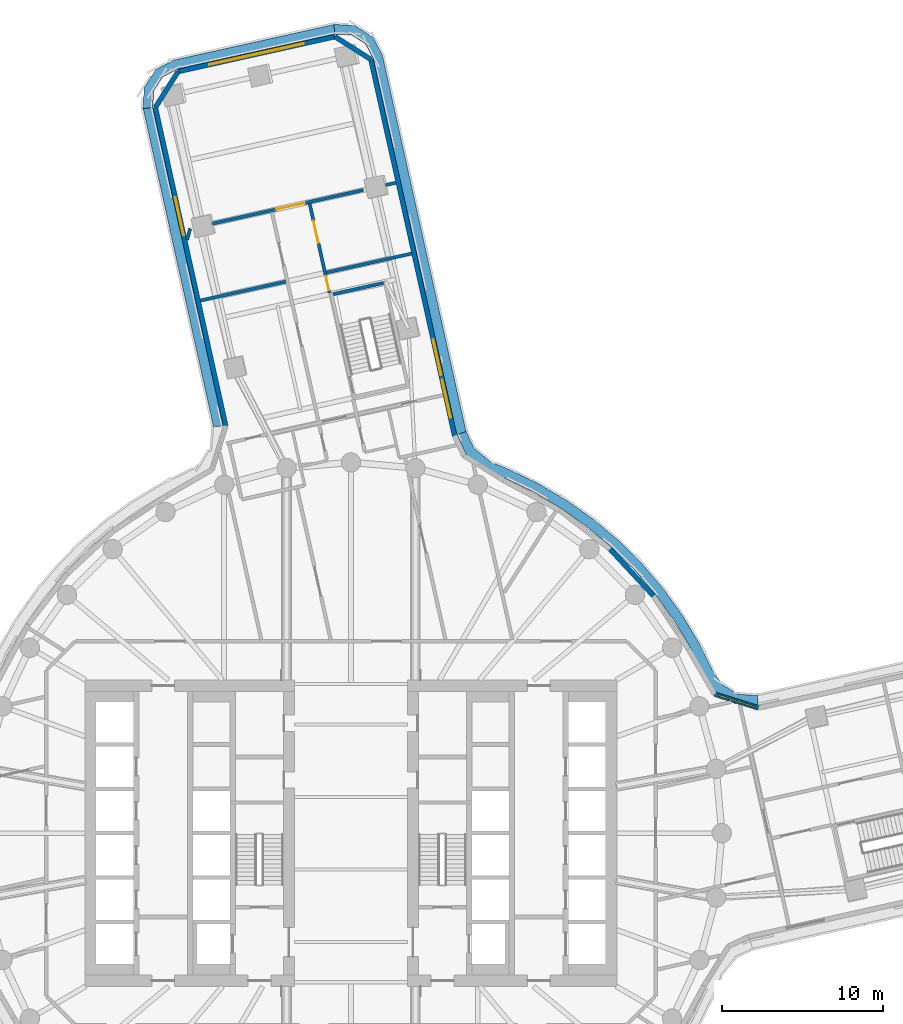
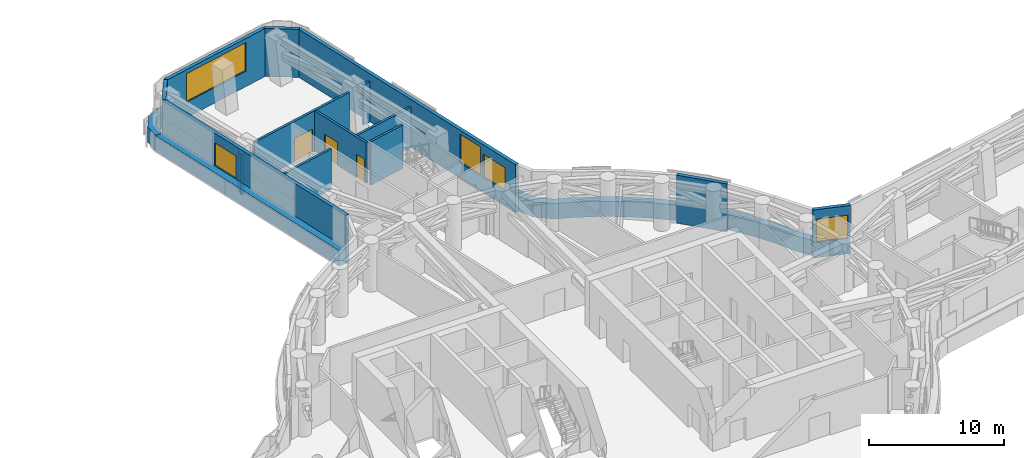
# One storey, part 13 of 22: 14 walls, 5 windows, 4 members, 3 doors, 8 openings.
"""IFC4 building model written with IfcOpenShell, lengths in metres."""

from ifc_helpers import new_model, si_unit, direction, frame, frame_2d, origin, place, context, subcontext, project, spatial, polyline, rectangle, outline, extrude, material, layer, layer_set, type_object, element, fill, aggregate, save


model = new_model("IFC4")

# Units and contexts
model_context = context("Model", 3, precision=1e-05, world=origin(), true_north=direction((0.0, 1.0)))
body_context = subcontext(model_context, "Body", "Model", "MODEL_VIEW")
ifc_project = project(units=[si_unit("LENGTHUNIT", "METRE"), si_unit("AREAUNIT", "SQUARE_METRE"), si_unit("VOLUMEUNIT", "CUBIC_METRE"), si_unit("PLANEANGLEUNIT", "RADIAN"), si_unit("MASSUNIT", "GRAM", prefix="KILO")], contexts=[model_context])

# Member
ifc_material_1 = material(Name="Aluminium and insulated spandrel panel", Category="aluminium")
member_type = type_object("IfcMemberType", Name="Floor-edge blade transom", PredefinedType="USERDEFINED", material=ifc_material_1)
site_placement = place(None, origin())
building_placement = place(site_placement, origin())
storey_placement = place(building_placement, frame((0.0, 0.0, 79.0)))
member_1_placement = place(storey_placement, origin())
member_1 = element("IfcMember", 1, at=member_1_placement, type_object=member_type, Name="CWT-L18-10", ObjectType="TRANSOM", PredefinedType="USERDEFINED", context=body_context, shape_type="SweptSolid", body=[
    extrude(outline(polyline([(25.2578125, 7.92236328125), (23.802978515625, 8.03955078125), (22.65380859375, 8.73681640625), (21.902587890625, 9.796142578125), (21.054443359375, 11.511474609375), (20.031982421875, 13.2109375), (18.87255859375, 14.820068359375), (17.584228515625, 16.327880859375), (16.17578125, 17.72412109375), (14.656982421875, 18.99951171875), (13.0380859375, 20.14501953125), (11.329833984375, 21.15283203125), (9.54443359375, 22.01611328125), (8.33203125, 22.52099609375), (7.135009765625, 23.512451171875), (6.567626953125, 24.71337890625), (7.138671875, 24.9091796875), (7.62060546875, 23.889404296875), (8.645751953125, 23.04052734375), (9.79052734375, 22.5634765625), (11.613525390625, 21.68212890625), (13.3642578125, 20.64892578125), (15.023681640625, 19.474853515625), (16.580810546875, 18.167724609375), (18.0244140625, 16.736572265625), (19.344970703125, 15.19091796875), (20.533203125, 13.54150390625), (21.581298828125, 11.799560546875), (22.41943359375, 10.1044921875), (23.0712890625, 9.185302734375), (23.992919921875, 8.626220703125), (25.21630859375, 8.527587890625), (25.2578125, 7.92236328125)])), origin(), (0.0, 0.0, 1.0), 1.39990234375),
])

member_2_placement = place(storey_placement, origin())
member_2 = element("IfcMember", 2, at=member_2_placement, type_object=member_type, Name="CWT-L18-11", ObjectType="TRANSOM", PredefinedType="USERDEFINED", context=body_context, shape_type="SweptSolid", body=[
    extrude(outline(polyline([(6.567626953125, 24.71337890625), (1.38037109375, 48.038818359375), (0.90185546875, 48.956787109375), (0.0283203125, 49.512451171875), (-1.006103515625, 49.556884765625), (-1.05908203125, 50.15966796875), (0.214599609375, 50.10498046875), (1.359375, 49.376708984375), (1.948974609375, 48.24609375), (7.138671875, 24.9091796875), (6.567626953125, 24.71337890625)])), origin(), (0.0, 0.0, 1.0), 1.39990234375),
])

member_3_placement = place(storey_placement, origin())
member_3 = element("IfcMember", 3, at=member_3_placement, type_object=member_type, Name="CWT-L18-12", ObjectType="TRANSOM", PredefinedType="USERDEFINED", context=body_context, shape_type="SweptSolid", body=[
    extrude(outline(polyline([(-1.006103515625, 49.556884765625), (-10.767578125, 47.385986328125), (-11.685546875, 46.907470703125), (-12.2412109375, 46.033935546875), (-12.28564453125, 44.99951171875), (-12.888671875, 44.94677734375), (-12.833740234375, 46.22021484375), (-12.10546875, 47.365234375), (-10.974853515625, 47.95458984375), (-1.05908203125, 50.15966796875), (-1.006103515625, 49.556884765625)])), origin(), (0.0, 0.0, 1.0), 1.39990234375),
])

member_4_placement = place(storey_placement, origin())
member_4 = element("IfcMember", 4, at=member_4_placement, type_object=member_type, Name="CWT-L18-13", ObjectType="TRANSOM", PredefinedType="USERDEFINED", context=body_context, shape_type="SweptSolid", body=[
    extrude(outline(polyline([(-12.28564453125, 44.99951171875), (-7.92236328125, 25.2578125), (-8.527587890625, 25.21630859375), (-12.888671875, 44.94677734375), (-12.28564453125, 44.99951171875)])), origin(), (0.0, 0.0, 1.0), 1.39990234375),
])

# Site, building, storey
site = spatial("IfcSite", under=ifc_project, at=site_placement, CompositionType="ELEMENT")
building = spatial("IfcBuilding", under=site, at=building_placement, Name="Tamarind Cross Interchange Tower", CompositionType="ELEMENT")
storey = spatial("IfcBuildingStorey", under=building, at=storey_placement, Name="L18", CompositionType="ELEMENT", Elevation=79.0)

# Wall, openings, doors
ifc_material_2 = material(Name="Gypsum board partition on steel studs", Category="steel")
ifc_layer_1 = layer(ifc_material_2, 0.199951171875)
ifc_layer_set_1 = layer_set([ifc_layer_1], Name="Gypsum board partition on steel studs")
wall_type_1 = type_object("IfcWallType", Name="Partition 200 mm EI 180", PredefinedType="PARTITIONING", material=ifc_layer_set_1)
wall_1_placement = place(storey_placement, frame((-2.562255859375, 39.05029296875, 0.0), z_axis=(0.0, 0.0, 1.0), x_axis=(0.217021787463, -0.976166760224, 0.0)))
wall_1 = element("IfcWall", 5, at=wall_1_placement, inside=storey, type_object=wall_type_1, Name="Partition L18-013", PredefinedType="PARTITIONING", context=body_context, shape_type="SweptSolid", body=[
    extrude(rectangle(XDim=5.660888671875, YDim=0.199951171875, at=frame_2d((2.83056640625, 0.0))), origin(), (0.0, 0.0, 1.0), 3.659912109375),
])
opening_1_placement = place(wall_1_placement, frame((1.10009765625, 0.0, 0.0)))
opening_1 = element("IfcOpeningElement", 6, at=opening_1_placement, cuts=wall_1, Name="Opening D08", PredefinedType="OPENING", context=body_context, shape_type="SweptSolid", body=[
    extrude(rectangle(XDim=1.39990234375, YDim=2.10009765625, at=frame_2d((0.699951171875, 1.050048828125))), frame((0.0, 0.10986328125, 0.0), z_axis=(0.0, -1.0, 0.0), x_axis=(1.0, 0.0, 0.0)), (0.0, 0.0, 1.0), 0.219970703125),
])
opening_2_placement = place(wall_1_placement, frame((4.61083984375, 0.0, 0.0)))
opening_2 = element("IfcOpeningElement", 7, at=opening_2_placement, cuts=wall_1, Name="Opening D09", PredefinedType="OPENING", context=body_context, shape_type="SweptSolid", body=[
    extrude(rectangle(XDim=0.89990234375, YDim=2.10009765625, at=frame_2d((0.449951171875, 1.050048828125))), frame((0.0, 0.10986328125, 0.0), z_axis=(0.0, -1.0, 0.0), x_axis=(1.0, 0.0, 0.0)), (0.0, 0.0, 1.0), 0.219970703125),
])
ifc_material_3 = material(Name="Fire-resisting door set")
door_type_1 = type_object("IfcDoorType", Name="Interior door 1400 x 2100 FD120S", OperationType="DOUBLE_DOOR_SINGLE_SWING", PredefinedType="DOOR", material=ifc_material_3)
door_1_placement = place(opening_1_placement, origin())
door_1 = element("IfcDoor", 8, at=door_1_placement, inside=storey, type_object=door_type_1, Name="Door D08", OperationType="DOUBLE_DOOR_SINGLE_SWING", OverallHeight=2.10009765625, OverallWidth=1.39990234375, PredefinedType="DOOR", context=body_context, shape_type="SweptSolid", body=[
    extrude(rectangle(XDim=1.39990234375, YDim=2.10009765625, at=frame_2d((0.699951171875, 1.050048828125))), frame((0.0, 0.02490234375, 0.0), z_axis=(0.0, -1.0, 0.0), x_axis=(1.0, 0.0, 0.0)), (0.0, 0.0, 1.0), 0.050048828125),
])
fill(opening_1, door_1)
door_type_2 = type_object("IfcDoorType", Name="Interior door 900 x 2100 FD120S", OperationType="SINGLE_SWING_LEFT", PredefinedType="DOOR", material=ifc_material_3)
door_2_placement = place(opening_2_placement, origin())
door_2 = element("IfcDoor", 9, at=door_2_placement, inside=storey, type_object=door_type_2, Name="Door D09", OperationType="SINGLE_SWING_LEFT", OverallHeight=2.10009765625, OverallWidth=0.89990234375, PredefinedType="DOOR", context=body_context, shape_type="SweptSolid", body=[
    extrude(rectangle(XDim=0.89990234375, YDim=2.10009765625, at=frame_2d((0.449951171875, 1.050048828125))), frame((0.0, 0.02490234375, 0.0), z_axis=(0.0, -1.0, 0.0), x_axis=(1.0, 0.0, 0.0)), (0.0, 0.0, 1.0), 0.050048828125),
])
fill(opening_2, door_2)

# Wall
wall_2_placement = place(storey_placement, frame((-10.166015625, 36.80419921875, 0.0), z_axis=(0.0, 0.0, 1.0), x_axis=(0.270338106044, 0.96276544829, 0.0)))
element("IfcWall", 10, at=wall_2_placement, inside=storey, type_object=wall_type_1, Name="Partition L18-045", PredefinedType="PARTITIONING", context=body_context, shape_type="SweptSolid", body=[
    extrude(rectangle(XDim=0.728759765625, YDim=0.199951171875, at=frame_2d((0.3642578125, 0.0))), origin(), (0.0, 0.0, 1.0), 3.659912109375),
])

# Wall, opening, door
wall_3_placement = place(storey_placement, frame((-8.591064453125, 37.812255859375, 0.0), z_axis=(0.0, 0.0, 1.0), x_axis=(0.976158305141, 0.217059815036, 0.0)))
wall_3 = element("IfcWall", 11, at=wall_3_placement, inside=storey, type_object=wall_type_1, Name="Partition L18-046", PredefinedType="PARTITIONING", context=body_context, shape_type="SweptSolid", body=[
    extrude(rectangle(XDim=9.592041015625, YDim=0.199951171875, at=frame_2d((4.7958984375, 0.0))), origin(), (0.0, 0.0, 1.0), 3.659912109375),
])
opening_3_placement = place(wall_3_placement, frame((4.0537109375, 0.0, 0.0)))
opening_3 = element("IfcOpeningElement", 12, at=opening_3_placement, cuts=wall_3, Name="Opening D27", PredefinedType="OPENING", context=body_context, shape_type="SweptSolid", body=[
    extrude(rectangle(XDim=1.800048828125, YDim=2.10009765625, at=frame_2d((0.89990234375, 1.050048828125))), frame((0.0, 0.10986328125, 0.0), z_axis=(0.0, -1.0, 0.0), x_axis=(1.0, 0.0, 0.0)), (0.0, 0.0, 1.0), 0.219970703125),
])
door_type_3 = type_object("IfcDoorType", Name="Interior door 1800 x 2100 FD120S", OperationType="DOUBLE_DOOR_SINGLE_SWING", PredefinedType="DOOR", material=ifc_material_3)
door_3_placement = place(opening_3_placement, origin())
door_3 = element("IfcDoor", 13, at=door_3_placement, inside=storey, type_object=door_type_3, Name="Door D27", OperationType="DOUBLE_DOOR_SINGLE_SWING", OverallHeight=2.10009765625, OverallWidth=1.800048828125, PredefinedType="DOOR", context=body_context, shape_type="SweptSolid", body=[
    extrude(rectangle(XDim=1.800048828125, YDim=2.10009765625, at=frame_2d((0.89990234375, 1.050048828125))), frame((0.0, 0.02490234375, 0.0), z_axis=(0.0, -1.0, 0.0), x_axis=(1.0, 0.0, 0.0)), (0.0, 0.0, 1.0), 0.050048828125),
])
fill(opening_3, door_3)

# Walls
wall_4_placement = place(storey_placement, frame((2.14990234375, 40.200439453125, 0.0), z_axis=(0.0, 0.0, 1.0), x_axis=(0.976098508186, 0.217328558448, 0.0)))
element("IfcWall", 14, at=wall_4_placement, inside=storey, type_object=wall_type_1, Name="Partition L18-047", PredefinedType="PARTITIONING", context=body_context, shape_type="SweptSolid", body=[
    extrude(rectangle(XDim=0.6494140625, YDim=0.199951171875, at=frame_2d((0.32470703125, 0.0))), origin(), (0.0, 0.0, 1.0), 3.659912109375),
])
wall_5_placement = place(storey_placement, frame((-9.33349609375, 33.037109375, 0.0), z_axis=(0.0, 0.0, 1.0), x_axis=(0.976161593011, 0.217045028348, 0.0)))
element("IfcWall", 15, at=wall_5_placement, inside=storey, type_object=wall_type_1, Name="Partition L18-048", PredefinedType="PARTITIONING", context=body_context, shape_type="SweptSolid", body=[
    extrude(rectangle(XDim=5.4150390625, YDim=0.199951171875, at=frame_2d((2.70751953125, 0.0))), origin(), (0.0, 0.0, 1.0), 3.659912109375),
])
wall_6_placement = place(storey_placement, frame((-1.509521484375, 34.776611328125, 0.0), z_axis=(0.0, 0.0, 1.0), x_axis=(0.976168968701, 0.217011853467, 0.0)))
element("IfcWall", 16, at=wall_6_placement, inside=storey, type_object=wall_type_1, Name="Partition L18-049", PredefinedType="PARTITIONING", context=body_context, shape_type="SweptSolid", body=[
    extrude(rectangle(XDim=5.39892578125, YDim=0.199951171875, at=frame_2d((2.699462890625, 0.0))), origin(), (0.0, 0.0, 1.0), 3.659912109375),
])

# Wall, opening, window
ifc_material_4 = material(Name="Precast concrete C40", Category="concrete")
ifc_layer_2 = layer(ifc_material_4, 0.300048828125)
ifc_layer_set_2 = layer_set([ifc_layer_2], Name="Precast concrete C40")
wall_type_2 = type_object("IfcWallType", Name="Plant louvre wall", PredefinedType="SOLIDWALL", material=ifc_layer_set_2)
wall_7_placement = place(storey_placement, frame((25.268310546875, 7.77099609375, 0.0), z_axis=(0.0, 0.0, 1.0), x_axis=(-0.954072095572, 0.299577096006, 0.0)))
wall_7 = element("IfcWall", 17, at=wall_7_placement, inside=storey, type_object=wall_type_2, Name="EXW-L18-10-00", PredefinedType="SOLIDWALL", context=body_context, shape_type="SweptSolid", body=[
    extrude(rectangle(XDim=2.849853515625, YDim=0.300048828125, at=frame_2d((1.4248046875, 0.0))), origin(), (0.0, 0.0, 1.0), 4.360107421875),
])
opening_4_placement = place(wall_7_placement, frame((0.199951171875, 0.0, 1.39990234375)))
opening_4 = element("IfcOpeningElement", 18, at=opening_4_placement, cuts=wall_7, Name="Opening W3", PredefinedType="OPENING", context=body_context, shape_type="SweptSolid", body=[
    extrude(rectangle(XDim=2.39990234375, YDim=2.10009765625, at=frame_2d((1.199951171875, 1.050048828125))), frame((0.0, 0.159912109375, 0.0), z_axis=(0.0, -1.0, 0.0), x_axis=(1.0, 0.0, 0.0)), (0.0, 0.0, 1.0), 0.320068359375),
])
ifc_material_5 = material(Name="Aluminium and fire-resisting glass", Category="aluminium")
window_type_1 = type_object("IfcWindowType", Name="Refuge rescue window", PartitioningType="DOUBLE_PANEL_VERTICAL", PredefinedType="WINDOW", material=ifc_material_5)
window_1_placement = place(opening_4_placement, origin())
window_1 = element("IfcWindow", 19, at=window_1_placement, inside=storey, type_object=window_type_1, Name="RSW-L18-10-00", OverallHeight=2.10009765625, OverallWidth=2.39990234375, PartitioningType="SINGLE_PANEL", PredefinedType="WINDOW", context=body_context, shape_type="SweptSolid", body=[
    extrude(rectangle(XDim=2.39990234375, YDim=2.10009765625, at=frame_2d((1.199951171875, 1.050048828125))), frame((0.0, 0.030029296875, 0.0), z_axis=(0.0, -1.0, 0.0), x_axis=(1.0, 0.0, 0.0)), (0.0, 0.0, 1.0), 0.06005859375),
])
fill(opening_4, window_1)

aggregate(wall_7, [member_1])

# Wall
wall_8_placement = place(storey_placement, frame((18.75439453125, 14.727294921875, 0.0), z_axis=(0.0, 0.0, 1.0), x_axis=(-0.680429698926, 0.732813362883, 0.0)))
element("IfcWall", 20, at=wall_8_placement, inside=storey, type_object=wall_type_2, Name="EXW-L18-10-03", PredefinedType="SOLIDWALL", context=body_context, shape_type="SweptSolid", body=[
    extrude(rectangle(XDim=3.938232421875, YDim=0.300048828125, at=frame_2d((1.96923828125, 0.0))), origin(), (0.0, 0.0, 1.0), 4.360107421875),
])

# Wall, openings, windows
wall_9_placement = place(storey_placement, frame((6.4248046875, 24.66455078125, 0.0), z_axis=(0.0, 0.0, 1.0), x_axis=(-0.217081929523, 0.976153387473, 0.0)))
wall_9 = element("IfcWall", 21, at=wall_9_placement, inside=storey, type_object=wall_type_2, Name="EXW-L18-11-00", PredefinedType="SOLIDWALL", context=body_context, shape_type="SweptSolid", body=[
    extrude(rectangle(XDim=23.89208984375, YDim=0.300048828125, at=frame_2d((11.946044921875, 0.0))), origin(), (0.0, 0.0, 1.0), 4.360107421875),
])
opening_5_placement = place(wall_9_placement, frame((3.851806640625, 0.0, 1.39990234375)))
opening_5 = element("IfcOpeningElement", 22, at=opening_5_placement, cuts=wall_9, Name="Opening W2", PredefinedType="OPENING", context=body_context, shape_type="SweptSolid", body=[
    extrude(rectangle(XDim=2.253662109375, YDim=2.60009765625, at=frame_2d((1.126953125, 1.300048828125))), frame((0.0, 0.159912109375, 0.0), z_axis=(0.0, -1.0, 0.0), x_axis=(1.0, 0.0, 0.0)), (0.0, 0.0, 1.0), 0.320068359375),
])
opening_6_placement = place(wall_9_placement, frame((1.14990234375, 0.0, 1.39990234375)))
opening_6 = element("IfcOpeningElement", 23, at=opening_6_placement, cuts=wall_9, Name="Opening W3", PredefinedType="OPENING", context=body_context, shape_type="SweptSolid", body=[
    extrude(rectangle(XDim=2.39990234375, YDim=2.10009765625, at=frame_2d((1.199951171875, 1.050048828125))), frame((0.0, 0.159912109375, 0.0), z_axis=(0.0, -1.0, 0.0), x_axis=(1.0, 0.0, 0.0)), (0.0, 0.0, 1.0), 0.320068359375),
])
ifc_material_6 = material(Name="Aluminium louvre", Category="aluminium")
window_type_2 = type_object("IfcWindowType", Name="Plant louvre bank", PartitioningType="SINGLE_PANEL", PredefinedType="WINDOW", material=ifc_material_6)
window_2_placement = place(opening_5_placement, origin())
window_2 = element("IfcWindow", 24, at=window_2_placement, inside=storey, type_object=window_type_2, Name="WIN-L18-11-00", OverallHeight=2.60009765625, OverallWidth=2.253662109375, PartitioningType="SINGLE_PANEL", PredefinedType="WINDOW", context=body_context, shape_type="SweptSolid", body=[
    extrude(rectangle(XDim=2.253662109375, YDim=2.60009765625, at=frame_2d((1.126953125, 1.300048828125))), frame((0.0, 0.030029296875, 0.0), z_axis=(0.0, -1.0, 0.0), x_axis=(1.0, 0.0, 0.0)), (0.0, 0.0, 1.0), 0.06005859375),
])
fill(opening_5, window_2)
window_3_placement = place(opening_6_placement, origin())
window_3 = element("IfcWindow", 25, at=window_3_placement, inside=storey, type_object=window_type_1, Name="RSW-L18-11-02", OverallHeight=2.10009765625, OverallWidth=2.39990234375, PartitioningType="SINGLE_PANEL", PredefinedType="WINDOW", context=body_context, shape_type="SweptSolid", body=[
    extrude(rectangle(XDim=2.39990234375, YDim=2.10009765625, at=frame_2d((1.199951171875, 1.050048828125))), frame((0.0, 0.030029296875, 0.0), z_axis=(0.0, -1.0, 0.0), x_axis=(1.0, 0.0, 0.0)), (0.0, 0.0, 1.0), 0.06005859375),
])
fill(opening_6, window_3)

aggregate(wall_9, [member_2])

# Wall
wall_10_placement = place(storey_placement, frame((1.23828125, 47.98681640625, 0.0), z_axis=(0.0, 0.0, 1.0), x_axis=(-0.843707106329, 0.536803799102, 0.0)))
element("IfcWall", 26, at=wall_10_placement, inside=storey, type_object=wall_type_2, Name="EXW-L18-11-01", PredefinedType="SOLIDWALL", context=body_context, shape_type="SweptSolid", body=[
    extrude(rectangle(XDim=2.644287109375, YDim=0.300048828125, at=frame_2d((1.322265625, 0.0))), origin(), (0.0, 0.0, 1.0), 4.360107421875),
])

# Wall, opening, window
wall_11_placement = place(storey_placement, frame((-0.99267578125, 49.40625, 0.0), z_axis=(0.0, 0.0, 1.0), x_axis=(-0.97615186769, -0.217088763424, 0.0)))
wall_11 = element("IfcWall", 27, at=wall_11_placement, inside=storey, type_object=wall_type_2, Name="EXW-L18-12-00", PredefinedType="SOLIDWALL", context=body_context, shape_type="SweptSolid", body=[
    extrude(rectangle(XDim=9.960693359375, YDim=0.300048828125, at=frame_2d((4.98046875, 0.0))), origin(), (0.0, 0.0, 1.0), 4.360107421875),
])
opening_7_placement = place(wall_11_placement, frame((1.980224609375, 0.0, 1.39990234375)))
opening_7 = element("IfcOpeningElement", 28, at=opening_7_placement, cuts=wall_11, Name="Opening W2", PredefinedType="OPENING", context=body_context, shape_type="SweptSolid", body=[
    extrude(rectangle(XDim=6.0, YDim=2.60009765625, at=frame_2d((3.0, 1.300048828125))), frame((0.0, 0.159912109375, 0.0), z_axis=(0.0, -1.0, 0.0), x_axis=(1.0, 0.0, 0.0)), (0.0, 0.0, 1.0), 0.320068359375),
])
window_4_placement = place(opening_7_placement, origin())
window_4 = element("IfcWindow", 29, at=window_4_placement, inside=storey, type_object=window_type_2, Name="WIN-L18-12-00", OverallHeight=2.60009765625, OverallWidth=6.0, PartitioningType="SINGLE_PANEL", PredefinedType="WINDOW", context=body_context, shape_type="SweptSolid", body=[
    extrude(rectangle(XDim=6.0, YDim=2.60009765625, at=frame_2d((3.0, 1.300048828125))), frame((0.0, 0.030029296875, 0.0), z_axis=(0.0, -1.0, 0.0), x_axis=(1.0, 0.0, 0.0)), (0.0, 0.0, 1.0), 0.06005859375),
])
fill(opening_7, window_4)

aggregate(wall_11, [member_3])

# Wall
wall_12_placement = place(storey_placement, frame((-10.7158203125, 47.243896484375, 0.0), z_axis=(0.0, 0.0, 1.0), x_axis=(-0.536696257277, -0.843775519569, 0.0)))
element("IfcWall", 30, at=wall_12_placement, inside=storey, type_object=wall_type_2, Name="EXW-L18-12-01", PredefinedType="SOLIDWALL", context=body_context, shape_type="SweptSolid", body=[
    extrude(rectangle(XDim=2.644287109375, YDim=0.300048828125, at=frame_2d((1.322265625, 0.0))), origin(), (0.0, 0.0, 1.0), 4.360107421875),
])

# Wall, opening, window
wall_13_placement = place(storey_placement, frame((-12.135009765625, 45.0126953125, 0.0), z_axis=(0.0, 0.0, 1.0), x_axis=(0.215816840295, -0.976433864348, 0.0)))
wall_13 = element("IfcWall", 31, at=wall_13_placement, inside=storey, type_object=wall_type_2, Name="EXW-L18-13-00", PredefinedType="SOLIDWALL", context=body_context, shape_type="SweptSolid", body=[
    extrude(rectangle(XDim=20.220947265625, YDim=0.300048828125, at=frame_2d((10.1103515625, 0.0))), origin(), (0.0, 0.0, 1.0), 4.360107421875),
])
opening_8_placement = place(wall_13_placement, frame((5.7099609375, 0.0, 1.39990234375)))
opening_8 = element("IfcOpeningElement", 32, at=opening_8_placement, cuts=wall_13, Name="Opening W3", PredefinedType="OPENING", context=body_context, shape_type="SweptSolid", body=[
    extrude(rectangle(XDim=2.39990234375, YDim=2.10009765625, at=frame_2d((1.199951171875, 1.050048828125))), frame((0.0, 0.159912109375, 0.0), z_axis=(0.0, -1.0, 0.0), x_axis=(1.0, 0.0, 0.0)), (0.0, 0.0, 1.0), 0.320068359375),
])
window_5_placement = place(opening_8_placement, origin())
window_5 = element("IfcWindow", 33, at=window_5_placement, inside=storey, type_object=window_type_1, Name="RSW-L18-13-01", OverallHeight=2.10009765625, OverallWidth=2.39990234375, PartitioningType="SINGLE_PANEL", PredefinedType="WINDOW", context=body_context, shape_type="SweptSolid", body=[
    extrude(rectangle(XDim=2.39990234375, YDim=2.10009765625, at=frame_2d((1.199951171875, 1.050048828125))), frame((0.0, 0.030029296875, 0.0), z_axis=(0.0, -1.0, 0.0), x_axis=(1.0, 0.0, 0.0)), (0.0, 0.0, 1.0), 0.06005859375),
])
fill(opening_8, window_5)

aggregate(wall_13, [member_4])

# Wall
ifc_material_7 = material(Name="Concrete C40", Category="concrete")
ifc_layer_3 = layer(ifc_material_7, 0.199951171875)
ifc_layer_set_3 = layer_set([ifc_layer_3], Name="Concrete C40")
wall_type_3 = type_object("IfcWallType", Name="Stair shaft wall 200 mm Concrete C40", PredefinedType="SHEAR", material=ifc_layer_set_3)
wall_14_placement = place(storey_placement, frame((0.0, 0.0, -0.179931640625)))
element("IfcWall", 34, at=wall_14_placement, inside=storey, type_object=wall_type_3, Name="Core wall CWL-L18-ST4-CF", PredefinedType="SHEAR", context=body_context, shape_type="SweptSolid", body=[
    extrude(outline(polyline([(2.037353515625, 34.029052734375), (1.993896484375, 34.224365234375), (-1.1298828125, 33.52978515625), (-1.08642578125, 33.33447265625), (2.037353515625, 34.029052734375)])), origin(), (0.0, 0.0, 1.0), 3.93994140625),
])

save(model, "model.ifc")
